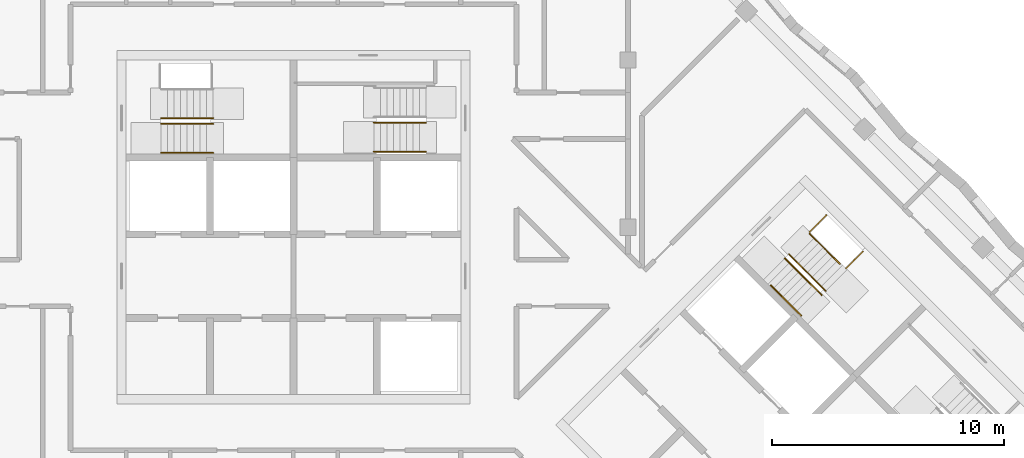
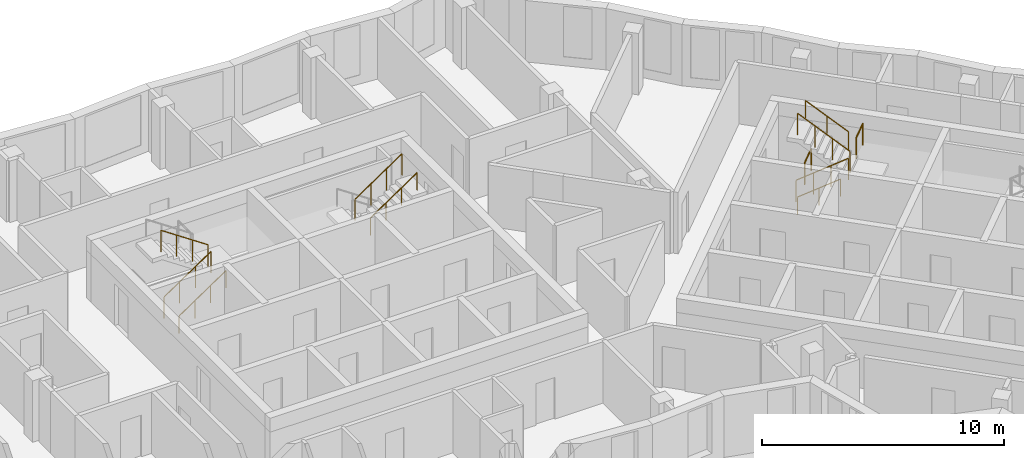
# One storey, part 10 of 13: 11 railings.
"""IFC4 building model written with IfcOpenShell, lengths in metres."""

import ifcopenshell
import ifcopenshell.guid

model = None  # the IFC model being written
_history = None  # IfcOwnerHistory: only IFC2X3 demands one
_inside = {}  # id of a spatial element -> (the spatial element, [elements in it])
_under = {}  # id of a project, library or spatial element -> (it, [spatial elements below it])
_declared = {}  # id of a project -> (the project, [libraries it declares])
_typed = {}  # id of a type object -> (the type object, [elements of that type])
_made_of = {}  # id of a material, layer set ... -> (it, [elements and type objects made of it])


def new_model(schema):
    """Start an empty IFC model of exactly this schema.

    Asked for "IFC4X3", IfcOpenShell would pick the latest addendum, in which some entities
    have other attributes; the version numbers below select the first issue.
    IFC2X3 requires an IfcOwnerHistory on every rooted entity: one is made here for all.
    """
    global model, _history
    if schema == "IFC4X3":
        model = ifcopenshell.file(schema_version=(4, 3, 0, 0))
    else:
        model = ifcopenshell.file(schema=schema)
    _inside.clear()
    _under.clear()
    _declared.clear()
    _typed.clear()
    _made_of.clear()
    _history = None
    if model.schema == "IFC2X3":
        org = make("IfcOrganization", Name="unknown")
        user = make(
            "IfcPersonAndOrganization",
            ThePerson=make("IfcPerson", FamilyName="unknown"),
            TheOrganization=org,
        )
        app = make(
            "IfcApplication",
            ApplicationDeveloper=org,
            Version="unknown",
            ApplicationFullName="unknown",
            ApplicationIdentifier="unknown",
        )
        _history = make(
            "IfcOwnerHistory",
            OwningUser=user,
            OwningApplication=app,
            ChangeAction="ADDED",
            CreationDate=0,
        )
    return model


def make(cls, **values):
    """One entity of the class cls with the attributes given. An attribute that is None is left unset."""
    return model.create_entity(
        cls, **{name: value for name, value in values.items() if value is not None}
    )


def rooted(cls, **values):
    """An entity with a GlobalId (a new one), such as an element, a storey or a relation."""
    return make(cls, GlobalId=ifcopenshell.guid.new(), OwnerHistory=_history, **values)


def si_unit(unit_type, name, prefix=None):
    """IfcSIUnit, for example si_unit("LENGTHUNIT", "METRE", prefix="MILLI")."""
    return make("IfcSIUnit", UnitType=unit_type, Prefix=prefix, Name=name)


def assignment(units):
    """IfcUnitAssignment: the units of a project."""
    return None if units is None else make("IfcUnitAssignment", Units=units)


def point(xyz):
    """IfcCartesianPoint."""
    return None if xyz is None else make("IfcCartesianPoint", Coordinates=xyz)


def direction(xyz):
    """IfcDirection."""
    return None if xyz is None else make("IfcDirection", DirectionRatios=xyz)


def frame(location, z_axis=None, x_axis=None):
    """IfcAxis2Placement3D, a coordinate frame: its origin and axes. An axis left out is left unset."""
    return make(
        "IfcAxis2Placement3D",
        Location=point(location),
        Axis=direction(z_axis),
        RefDirection=direction(x_axis),
    )


def frame_2d(location, x_axis=None):
    """IfcAxis2Placement2D, a coordinate frame in the plane: its origin and x axis."""
    return make(
        "IfcAxis2Placement2D", Location=point(location), RefDirection=direction(x_axis)
    )


def origin():
    """The frame at (0, 0, 0) with its axes left unset."""
    return frame((0.0, 0.0, 0.0))


def origin_2d():
    """The frame at (0, 0) in the plane with its x axis left unset."""
    return frame_2d((0.0, 0.0))


def place(relative_to, where):
    """IfcLocalPlacement: puts the frame where relative to a parent placement (None: the world)."""
    return make(
        "IfcLocalPlacement", PlacementRelTo=relative_to, RelativePlacement=where
    )


def context(
    kind, dimensions, precision=None, world=None, true_north=None, identifier=None
):
    """IfcGeometricRepresentationContext, for example the 3D "Model" context."""
    return make(
        "IfcGeometricRepresentationContext",
        ContextIdentifier=identifier,
        ContextType=kind,
        CoordinateSpaceDimension=dimensions,
        Precision=precision,
        WorldCoordinateSystem=world,
        TrueNorth=true_north,
    )


def subcontext(parent, identifier, kind, view, scale=None):
    """IfcGeometricRepresentationSubContext, for example "Body" below "Model"."""
    return make(
        "IfcGeometricRepresentationSubContext",
        ContextIdentifier=identifier,
        ContextType=kind,
        ParentContext=parent,
        TargetScale=scale,
        TargetView=view,
    )


def project(units=None, contexts=None):
    """IfcProject with its units and contexts."""
    return rooted(
        "IfcProject",
        Name="project",
        RepresentationContexts=contexts,
        UnitsInContext=assignment(units),
    )


def spatial(cls, under=None, at=None, **own):
    """A site, building, storey or space (cls), placed at a placement, below another one or the project."""
    s = rooted(cls, ObjectPlacement=at, **own)
    if under is not None:
        _under.setdefault(under.id(), (under, []))[1].append(s)
    return s


def profile(cls, at=None, kind="AREA", **sizes):
    """A parametric profile (cls). Its sizes go by their IFC names, for example OverallWidth=200.0."""
    return make(cls, ProfileType=kind, Position=at, **sizes)


def circle(**sizes):
    """IfcCircleProfileDef."""
    return profile("IfcCircleProfileDef", **sizes)


def extrude(swept, where, along, depth):
    """IfcExtrudedAreaSolid: the profile swept, set in the frame where, extruded along a direction by depth."""
    return make(
        "IfcExtrudedAreaSolid",
        SweptArea=swept,
        Position=where,
        ExtrudedDirection=direction(along),
        Depth=depth,
    )


def shape(context_of_items, identifier, shape_type, items):
    """IfcShapeRepresentation: the items that make up one representation, for example the "Body"."""
    return make(
        "IfcShapeRepresentation",
        ContextOfItems=context_of_items,
        RepresentationIdentifier=identifier,
        RepresentationType=shape_type,
        Items=items,
    )


def material(Name=None, Category=None):
    """IfcMaterial."""
    return make("IfcMaterial", Name=Name, Category=Category)


def made_of(thing, what):
    """Note that an element or type object is made of a material, layer set ...; save() writes the relation."""
    if what is not None:
        _made_of.setdefault(what.id(), (what, []))[1].append(thing)
    return thing


def type_object(cls, material=None, **own):
    """A type object (cls), such as IfcWallType, which elements share."""
    return made_of(rooted(cls, **own), material)


def element(
    cls,
    number,
    at=None,
    inside=None,
    cuts=None,
    type_object=None,
    material=None,
    context=None,
    identifier="Body",
    shape_type=None,
    held_by="IfcProductDefinitionShape",
    body=None,
    shapes=None,
    **own,
):
    """One element of the class cls, such as IfcWall. Its Tag is "e" and its number.

    at: its placement. inside: the storey or other place that contains it. cuts: it is an
    opening in that element (IfcRelVoidsElement). A single representation is given by context,
    identifier, shape_type and body (its items); several are given by shapes. held_by: the class
    of the entity that holds the representations. save() writes the other relations.
    """
    e = rooted(cls, Tag="e%d" % number, ObjectPlacement=at, **own)
    if body is not None:
        shapes = [shape(context, identifier, shape_type, body)]
    if shapes is not None:
        e.Representation = make(held_by, Representations=shapes)
    if inside is not None:
        _inside.setdefault(inside.id(), (inside, []))[1].append(e)
    if cuts is not None:
        rooted(
            "IfcRelVoidsElement", RelatingBuildingElement=cuts, RelatedOpeningElement=e
        )
    if type_object is not None:
        _typed.setdefault(type_object.id(), (type_object, []))[1].append(e)
    return made_of(e, material)


def aggregate(whole, parts):
    """IfcRelAggregates: a whole, such as a stair, and the parts it consists of."""
    return rooted("IfcRelAggregates", RelatingObject=whole, RelatedObjects=parts)


def save(model, path):
    """Write the relations noted so far, then the file.

    IfcRelAggregates (storeys below a building ...), IfcRelContainedInSpatialStructure (elements
    in a storey), IfcRelDefinesByType, IfcRelAssociatesMaterial and IfcRelDeclares: one each for
    every whole, place, type object, material and project.
    """
    for whole, parts in _under.values():
        aggregate(whole, parts)
    for where, things in _inside.values():
        rooted(
            "IfcRelContainedInSpatialStructure",
            RelatedElements=things,
            RelatingStructure=where,
        )
    for kind, things in _typed.values():
        rooted("IfcRelDefinesByType", RelatedObjects=things, RelatingType=kind)
    for what, things in _made_of.values():
        rooted("IfcRelAssociatesMaterial", RelatedObjects=things, RelatingMaterial=what)
    for by, libraries in _declared.values():
        rooted("IfcRelDeclares", RelatingContext=by, RelatedDefinitions=libraries)
    model.write(path)


model = new_model("IFC4")

# Units and contexts
model_context = context("Model", 3, precision=1e-05, world=origin(), true_north=direction((0.0, 1.0)))
body_context = subcontext(model_context, "Body", "Model", "MODEL_VIEW")
ifc_project = project(units=[si_unit("LENGTHUNIT", "METRE"), si_unit("AREAUNIT", "SQUARE_METRE"), si_unit("VOLUMEUNIT", "CUBIC_METRE"), si_unit("PLANEANGLEUNIT", "RADIAN"), si_unit("MASSUNIT", "GRAM", prefix="KILO")], contexts=[model_context])

# Site, building, storey
site_placement = place(None, origin())
site = spatial("IfcSite", under=ifc_project, at=site_placement, CompositionType="ELEMENT")
building_placement = place(site_placement, origin())
building = spatial("IfcBuilding", under=site, at=building_placement, Name="Windrow Commons", CompositionType="ELEMENT")
storey_placement = place(building_placement, frame((0.0, 0.0, 243.8)))
storey = spatial("IfcBuildingStorey", under=building, at=storey_placement, Name="L66", CompositionType="ELEMENT", Elevation=243.8)

# Railings
ifc_material_1 = material(Name="Steel S355", Category="steel")
railing_type_1 = type_object("IfcRailingType", Name="Core stair guard 1100", PredefinedType="GUARDRAIL", material=ifc_material_1)
railing_1_placement = place(storey_placement, frame((59.1, 62.05, 0.1889)))
element("IfcRailing", 1, at=railing_1_placement, inside=storey, type_object=railing_type_1, Name="L66 ST-A1 stair guard 1", PredefinedType="GUARDRAIL", context=body_context, shape_type="SweptSolid", body=[
    extrude(circle(Radius=0.024, at=origin_2d()), frame((0.0, 0.0, 1.076), z_axis=(0.8290030985, 0.0, 0.5592440099), x_axis=(0.0, 1.0, 0.0)), (0.0, 0.0, 1.0), 2.702),
    extrude(circle(Radius=0.021, at=origin_2d()), origin(), (0.0, 0.0, 1.0), 1.052),
    extrude(circle(Radius=0.021, at=origin_2d()), frame((0.7467, 0.0, 0.5037)), (0.0, 0.0, 1.0), 1.052),
    extrude(circle(Radius=0.021, at=origin_2d()), frame((1.4933, 0.0, 1.0074)), (0.0, 0.0, 1.0), 1.052),
    extrude(circle(Radius=0.021, at=origin_2d()), frame((2.24, 0.0, 1.5111)), (0.0, 0.0, 1.0), 1.052),
])
railing_2_placement = place(storey_placement, frame((61.34, 62.3, 1.8889)))
element("IfcRailing", 2, at=railing_2_placement, inside=storey, type_object=railing_type_1, Name="L66 ST-A1 stair guard 2", PredefinedType="GUARDRAIL", context=body_context, shape_type="SweptSolid", body=[
    extrude(circle(Radius=0.024, at=origin_2d()), frame((0.0, 0.0, 1.076), z_axis=(-0.8290030985, 0.0, 0.5592440099), x_axis=(0.0, -1.0, 0.0)), (0.0, 0.0, 1.0), 2.702),
    extrude(circle(Radius=0.021, at=origin_2d()), origin(), (0.0, 0.0, 1.0), 1.052),
    extrude(circle(Radius=0.021, at=origin_2d()), frame((-0.7467, 0.0, 0.5037)), (0.0, 0.0, 1.0), 1.052),
    extrude(circle(Radius=0.021, at=origin_2d()), frame((-1.4933, 0.0, 1.0074)), (0.0, 0.0, 1.0), 1.052),
    extrude(circle(Radius=0.021, at=origin_2d()), frame((-2.24, 0.0, 1.5111)), (0.0, 0.0, 1.0), 1.052),
])
railing_3_placement = place(storey_placement, frame((68.26, 62.105, 1.8889)))
element("IfcRailing", 3, at=railing_3_placement, inside=storey, type_object=railing_type_1, Name="L66 ST-A2 stair guard 2", PredefinedType="GUARDRAIL", context=body_context, shape_type="SweptSolid", body=[
    extrude(circle(Radius=0.024, at=origin_2d()), frame((0.0, 0.0, 1.076), z_axis=(0.8290030985, 0.0, 0.5592440099), x_axis=(0.0, 1.0, 0.0)), (0.0, 0.0, 1.0), 2.702),
    extrude(circle(Radius=0.021, at=origin_2d()), origin(), (0.0, 0.0, 1.0), 1.052),
    extrude(circle(Radius=0.021, at=origin_2d()), frame((0.7467, 0.0, 0.5037)), (0.0, 0.0, 1.0), 1.052),
    extrude(circle(Radius=0.021, at=origin_2d()), frame((1.4933, 0.0, 1.0074)), (0.0, 0.0, 1.0), 1.052),
    extrude(circle(Radius=0.021, at=origin_2d()), frame((2.24, 0.0, 1.5111)), (0.0, 0.0, 1.0), 1.052),
])
railing_4_placement = place(storey_placement, frame((85.9529, 56.2669, 0.1889)))
element("IfcRailing", 4, at=railing_4_placement, inside=storey, type_object=railing_type_1, Name="L66 ST-B1 stair guard 1", PredefinedType="GUARDRAIL", context=body_context, shape_type="SweptSolid", body=[
    extrude(circle(Radius=0.024, at=origin_2d()), frame((0.0, 0.0, 1.076), z_axis=(0.5861914914, -0.5861914914, 0.5592486664), x_axis=(0.7071067812, 0.7071067812, 0.0)), (0.0, 0.0, 1.0), 2.702),
    extrude(circle(Radius=0.021, at=origin_2d()), origin(), (0.0, 0.0, 1.0), 1.052),
    extrude(circle(Radius=0.021, at=origin_2d()), frame((0.528, -0.528, 0.5037)), (0.0, 0.0, 1.0), 1.052),
    extrude(circle(Radius=0.021, at=origin_2d()), frame((1.0559, -1.0559, 1.0074)), (0.0, 0.0, 1.0), 1.052),
    extrude(circle(Radius=0.021, at=origin_2d()), frame((1.5839, -1.5839, 1.5111)), (0.0, 0.0, 1.0), 1.052),
])
railing_5_placement = place(storey_placement, frame((87.7136, 54.8597, 1.8889)))
element("IfcRailing", 5, at=railing_5_placement, inside=storey, type_object=railing_type_1, Name="L66 ST-B1 stair guard 2", PredefinedType="GUARDRAIL", context=body_context, shape_type="SweptSolid", body=[
    extrude(circle(Radius=0.024, at=origin_2d()), frame((0.0, 0.0, 1.076), z_axis=(-0.5862030657, 0.5862030657, 0.5592244018), x_axis=(-0.7071067812, -0.7071067812, 0.0)), (0.0, 0.0, 1.0), 2.7021),
    extrude(circle(Radius=0.021, at=origin_2d()), origin(), (0.0, 0.0, 1.0), 1.052),
    extrude(circle(Radius=0.021, at=origin_2d()), frame((-0.528, 0.528, 0.5037)), (0.0, 0.0, 1.0), 1.052),
    extrude(circle(Radius=0.021, at=origin_2d()), frame((-1.056, 1.056, 1.0074)), (0.0, 0.0, 1.0), 1.052),
    extrude(circle(Radius=0.021, at=origin_2d()), frame((-1.584, 1.584, 1.5111)), (0.0, 0.0, 1.0), 1.052),
])
railing_6_placement = place(storey_placement, frame((87.0135, 57.3982, 0.0)))
element("IfcRailing", 6, at=railing_6_placement, inside=storey, type_object=railing_type_1, Name="L66 ST-B1 stair guard 3", PredefinedType="GUARDRAIL", context=body_context, shape_type="SweptSolid", body=[
    extrude(circle(Radius=0.024, at=origin_2d()), frame((0.0, 0.0, 1.076), z_axis=(0.7070582378, 0.7071553212, 0.0), x_axis=(-0.7071553212, 0.7070582378, 0.0)), (0.0, 0.0, 1.0), 1.03),
    extrude(circle(Radius=0.021, at=origin_2d()), origin(), (0.0, 0.0, 1.0), 1.052),
    extrude(circle(Radius=0.021, at=origin_2d()), frame((0.7283, 0.7284, 0.0)), (0.0, 0.0, 1.0), 1.052),
])
railing_7_placement = place(storey_placement, frame((88.5833, 55.8285, 1.7)))
element("IfcRailing", 7, at=railing_7_placement, inside=storey, type_object=railing_type_1, Name="L66 ST-B1 stair guard 4", PredefinedType="GUARDRAIL", context=body_context, shape_type="SweptSolid", body=[
    extrude(circle(Radius=0.024, at=origin_2d()), frame((0.0, 0.0, 1.076), z_axis=(0.7071067812, 0.7071067812, 0.0), x_axis=(-0.7071067812, 0.7071067812, 0.0)), (0.0, 0.0, 1.0), 1.03),
    extrude(circle(Radius=0.021, at=origin_2d()), origin(), (0.0, 0.0, 1.0), 1.052),
    extrude(circle(Radius=0.021, at=origin_2d()), frame((0.7283, 0.7283, 0.0)), (0.0, 0.0, 1.0), 1.052),
])
ifc_material_2 = material(Name="Steel S355", Category="steel")
railing_type_2 = type_object("IfcRailingType", Name="Core stair handrail 900", PredefinedType="HANDRAIL", material=ifc_material_2)
for number, where, name in (
    (8, (59.1, 60.8, 0.1889), "L66 ST-A1 stair handrail 1"),
    (9, (68.26, 60.855, 1.8889), "L66 ST-A2 stair handrail 2"),
):
    element("IfcRailing", number, at=place(storey_placement, frame(where)), inside=storey, type_object=railing_type_2, Name=name, PredefinedType="HANDRAIL", context=body_context, shape_type="SweptSolid", body=[
        extrude(circle(Radius=0.024, at=origin_2d()), frame((0.0, 0.0, 0.876), z_axis=(0.8290030985, 0.0, 0.5592440099), x_axis=(0.0, 1.0, 0.0)), (0.0, 0.0, 1.0), 2.702),
        extrude(circle(Radius=0.021, at=origin_2d()), origin(), (0.0, 0.0, 1.0), 0.852),
        extrude(circle(Radius=0.021, at=origin_2d()), frame((0.7467, 0.0, 0.5037)), (0.0, 0.0, 1.0), 0.852),
        extrude(circle(Radius=0.021, at=origin_2d()), frame((1.4933, 0.0, 1.0074)), (0.0, 0.0, 1.0), 0.852),
        extrude(circle(Radius=0.021, at=origin_2d()), frame((2.24, 0.0, 1.5111)), (0.0, 0.0, 1.0), 0.852),
    ])
railing_8_placement = place(storey_placement, frame((85.3518, 55.1001, 0.4587)))
element("IfcRailing", 10, at=railing_8_placement, inside=storey, type_object=railing_type_2, Name="L66 ST-B1 stair handrail 1", PredefinedType="HANDRAIL", context=body_context, shape_type="SweptSolid", body=[
    extrude(circle(Radius=0.024, at=origin_2d()), frame((0.0, 0.0, 0.876), z_axis=(0.586206706, -0.5861616513, 0.5592639952), x_axis=(0.7070796062, 0.7071339551, 0.0)), (0.0, 0.0, 1.0), 2.2195),
    extrude(circle(Radius=0.021, at=origin_2d()), origin(), (0.0, 0.0, 1.0), 0.852),
    extrude(circle(Radius=0.021, at=origin_2d()), frame((0.6506, -0.6505, 0.6206)), (0.0, 0.0, 1.0), 0.852),
    extrude(circle(Radius=0.021, at=origin_2d()), frame((1.3011, -1.301, 1.2413)), (0.0, 0.0, 1.0), 0.852),
])
railing_9_placement = place(storey_placement, frame((88.3146, 56.0265, 2.1587)))
element("IfcRailing", 11, at=railing_9_placement, inside=storey, type_object=railing_type_2, Name="L66 ST-B1 stair handrail 2", PredefinedType="HANDRAIL", context=body_context, shape_type="SweptSolid", body=[
    extrude(circle(Radius=0.024, at=origin_2d()), frame((0.0, 0.0, 0.876), z_axis=(-0.586206706, 0.5861616513, 0.5592639952), x_axis=(-0.7070796062, -0.7071339551, 0.0)), (0.0, 0.0, 1.0), 2.2195),
    extrude(circle(Radius=0.021, at=origin_2d()), origin(), (0.0, 0.0, 1.0), 0.852),
    extrude(circle(Radius=0.021, at=origin_2d()), frame((-0.6506, 0.6505, 0.6206)), (0.0, 0.0, 1.0), 0.852),
    extrude(circle(Radius=0.021, at=origin_2d()), frame((-1.3011, 1.301, 1.2413)), (0.0, 0.0, 1.0), 0.852),
])

save(model, "model.ifc")
